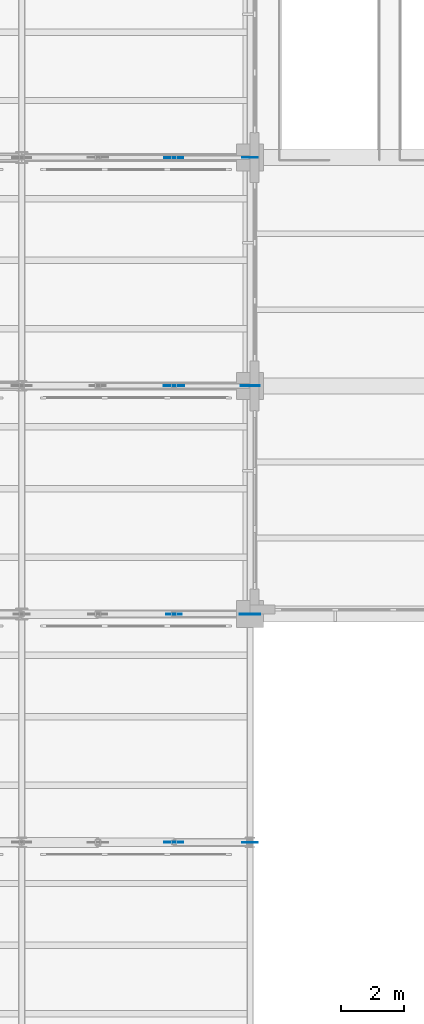
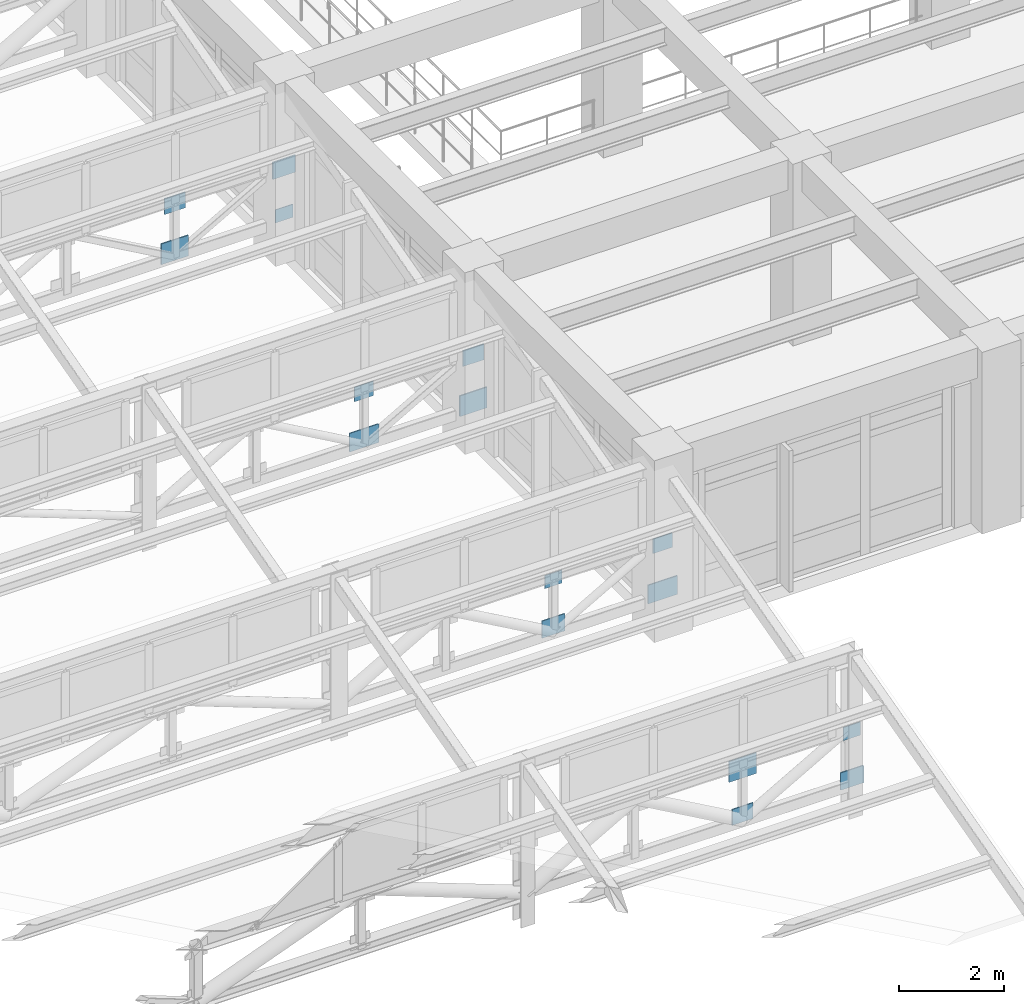
# One storey, part 80 of 98: 16 plates.
"""IFC4 building model written with IfcOpenShell, lengths in metres."""

from ifc_helpers import new_model, si_unit, direction, frame, origin, origin_2d, place, context, subcontext, project, spatial, rectangle, extrude, material, layer, layer_set, type_object, element, save


model = new_model("IFC4")

# Units and contexts
model_context = context("Model", 3, precision=1e-05, world=origin(), true_north=direction((0.0, 1.0)))
body_context = subcontext(model_context, "Body", "Model", "MODEL_VIEW")
ifc_project = project(units=[si_unit("LENGTHUNIT", "METRE"), si_unit("AREAUNIT", "SQUARE_METRE"), si_unit("VOLUMEUNIT", "CUBIC_METRE"), si_unit("PLANEANGLEUNIT", "RADIAN"), si_unit("MASSUNIT", "GRAM", prefix="KILO")], contexts=[model_context])

# Site, building, storey
site_placement = place(None, origin())
site = spatial("IfcSite", under=ifc_project, at=site_placement, CompositionType="ELEMENT")
building_placement = place(site_placement, origin())
building = spatial("IfcBuilding", under=site, at=building_placement, Name="Solenvale Faculty of Natural Sciences", CompositionType="ELEMENT")
storey_placement = place(building_placement, frame((0.0, 0.0, 9.0)))
storey = spatial("IfcBuildingStorey", under=building, at=storey_placement, Name="L02", CompositionType="ELEMENT", Elevation=9.0)

# Plates
ifc_material = material(Name="Steel S355", Category="steel")
ifc_layer_1 = layer(ifc_material, 0.01806640625)
ifc_layer_set_1 = layer_set([ifc_layer_1], Name="Steel S355")
plate_type_1 = type_object("IfcPlateType", Name="PLT-GUS-380x304x18", PredefinedType="SHEET", material=ifc_layer_set_1)
for number, where, z_axis, x_axis, name in (
    (1, (36.0, 7.199951171875, 1.7578125), (0.0, 0.0, 1.0), (1.0, 0.0, 0.0), "V1 Truss 1.2 Node Gusset NPU3"),
    (2, (33.60009765625, 14.39990234375, 1.7578125), (0.0, 0.0, 1.0), (1.0, 0.0, 0.0), "V1 Truss 2.2 Node Gusset NPU2"),
    (3, (36.0, 28.800048828125, 0.67822265625), (0.0, 0.0, 1.0), (1.0, 0.0, 0.0), "V1 Truss 4.2 Node Gusset NPB3"),
):
    element("IfcPlate", number, at=place(storey_placement, frame(where, z_axis=z_axis, x_axis=x_axis)), inside=storey, type_object=plate_type_1, Name=name, PredefinedType="SHEET", context=body_context, shape_type="SweptSolid", body=[
        extrude(rectangle(XDim=0.3798828125, YDim=0.01806640625, at=origin_2d()), origin(), (0.0, 0.0, 1.0), 0.303955078125),
    ])
ifc_layer_2 = layer(ifc_material, 0.02001953125)
ifc_layer_set_2 = layer_set([ifc_layer_2], Name="Steel S355")
plate_type_2 = type_object("IfcPlateType", Name="PLT-GUS-420x336x20", PredefinedType="SHEET", material=ifc_layer_set_2)
for number, where, z_axis, x_axis, name in (
    (4, (36.0, 14.39990234375, 1.741943359375), (0.0, 0.0, 1.0), (1.0, 0.0, 0.0), "V1 Truss 2.2 Node Gusset NPU3"),
    (5, (33.60009765625, 21.60009765625, 1.741943359375), (0.0, 0.0, 1.0), (1.0, 0.0, 0.0), "V1 Truss 3.2 Node Gusset NPU2"),
):
    element("IfcPlate", number, at=place(storey_placement, frame(where, z_axis=z_axis, x_axis=x_axis)), inside=storey, type_object=plate_type_2, Name=name, PredefinedType="SHEET", context=body_context, shape_type="SweptSolid", body=[
        extrude(rectangle(XDim=0.419921875, YDim=0.02001953125, at=origin_2d()), origin(), (0.0, 0.0, 1.0), 0.3359375),
    ])
ifc_layer_3 = layer(ifc_material, 0.02197265625)
ifc_layer_set_3 = layer_set([ifc_layer_3], Name="Steel S355")
plate_type_3 = type_object("IfcPlateType", Name="PLT-GUS-460x368x22", PredefinedType="SHEET", material=ifc_layer_set_3)
for number, where, z_axis, x_axis, name in (
    (6, (33.60009765625, 7.199951171875, 0.64599609375), (0.0, 0.0, 1.0), (1.0, 0.0, 0.0), "V1 Truss 1.2 Node Gusset NPB2"),
    (7, (36.0, 21.60009765625, 1.72607421875), (0.0, 0.0, 1.0), (1.0, 0.0, 0.0), "V1 Truss 3.2 Node Gusset NPU3"),
    (8, (33.60009765625, 28.800048828125, 1.72607421875), (0.0, 0.0, 1.0), (1.0, 0.0, 0.0), "V1 Truss 4.2 Node Gusset NPU2"),
):
    element("IfcPlate", number, at=place(storey_placement, frame(where, z_axis=z_axis, x_axis=x_axis)), inside=storey, type_object=plate_type_3, Name=name, PredefinedType="SHEET", context=body_context, shape_type="SweptSolid", body=[
        extrude(rectangle(XDim=0.4599609375, YDim=0.02197265625, at=origin_2d()), origin(), (0.0, 0.0, 1.0), 0.367919921875),
    ])
ifc_layer_4 = layer(ifc_material, 0.02392578125)
ifc_layer_set_4 = layer_set([ifc_layer_4], Name="Steel S355")
plate_type_4 = type_object("IfcPlateType", Name="PLT-GUS-500x400x24", PredefinedType="SHEET", material=ifc_layer_set_4)
for number, where, z_axis, x_axis, name in (
    (9, (36.0, 7.199951171875, 0.630126953125), (0.0, 0.0, 1.0), (1.0, 0.0, 0.0), "V1 Truss 1.2 Node Gusset NPB3"),
    (10, (33.60009765625, 14.39990234375, 0.630126953125), (0.0, 0.0, 1.0), (1.0, 0.0, 0.0), "V1 Truss 2.2 Node Gusset NPB2"),
    (11, (36.0, 28.800048828125, 1.7099609375), (0.0, 0.0, 1.0), (1.0, 0.0, 0.0), "V1 Truss 4.2 Node Gusset NPU3"),
):
    element("IfcPlate", number, at=place(storey_placement, frame(where, z_axis=z_axis, x_axis=x_axis)), inside=storey, type_object=plate_type_4, Name=name, PredefinedType="SHEET", context=body_context, shape_type="SweptSolid", body=[
        extrude(rectangle(XDim=0.5, YDim=0.02392578125, at=origin_2d()), origin(), (0.0, 0.0, 1.0), 0.39990234375),
    ])
ifc_layer_5 = layer(ifc_material, 0.02490234375)
ifc_layer_set_5 = layer_set([ifc_layer_5], Name="Steel S355")
plate_type_5 = type_object("IfcPlateType", Name="PLT-GUS-540x432x25", PredefinedType="SHEET", material=ifc_layer_set_5)
for number, where, z_axis, x_axis, name in (
    (12, (36.0, 14.39990234375, 0.6142578125), (0.0, 0.0, 1.0), (1.0, 0.0, 0.0), "V1 Truss 2.2 Node Gusset NPB3"),
    (13, (33.60009765625, 21.60009765625, 0.6142578125), (0.0, 0.0, 1.0), (1.0, 0.0, 0.0), "V1 Truss 3.2 Node Gusset NPB2"),
):
    element("IfcPlate", number, at=place(storey_placement, frame(where, z_axis=z_axis, x_axis=x_axis)), inside=storey, type_object=plate_type_5, Name=name, PredefinedType="SHEET", context=body_context, shape_type="SweptSolid", body=[
        extrude(rectangle(XDim=0.639892578125, YDim=0.02490234375, at=origin_2d()), origin(), (0.0, 0.0, 1.0), 0.431884765625),
    ])
ifc_layer_6 = layer(ifc_material, 0.028076171875)
ifc_layer_set_6 = layer_set([ifc_layer_6], Name="Steel S355")
plate_type_6 = type_object("IfcPlateType", Name="PLT-GUS-600x480x28", PredefinedType="SHEET", material=ifc_layer_set_6)
for number, where, z_axis, x_axis, name in (
    (14, (33.60009765625, 7.199951171875, 1.669921875), (0.0, 0.0, 1.0), (1.0, 0.0, 0.0), "V1 Truss 1.2 Node Gusset NPU2"),
    (15, (36.0, 21.60009765625, 0.590087890625), (0.0, 0.0, 1.0), (1.0, 0.0, 0.0), "V1 Truss 3.2 Node Gusset NPB3"),
    (16, (33.60009765625, 28.800048828125, 0.590087890625), (0.0, 0.0, 1.0), (1.0, 0.0, 0.0), "V1 Truss 4.2 Node Gusset NPB2"),
):
    element("IfcPlate", number, at=place(storey_placement, frame(where, z_axis=z_axis, x_axis=x_axis)), inside=storey, type_object=plate_type_6, Name=name, PredefinedType="SHEET", context=body_context, shape_type="SweptSolid", body=[
        extrude(rectangle(XDim=0.60009765625, YDim=0.028076171875, at=origin_2d()), origin(), (0.0, 0.0, 1.0), 0.47998046875),
    ])

save(model, "model.ifc")
